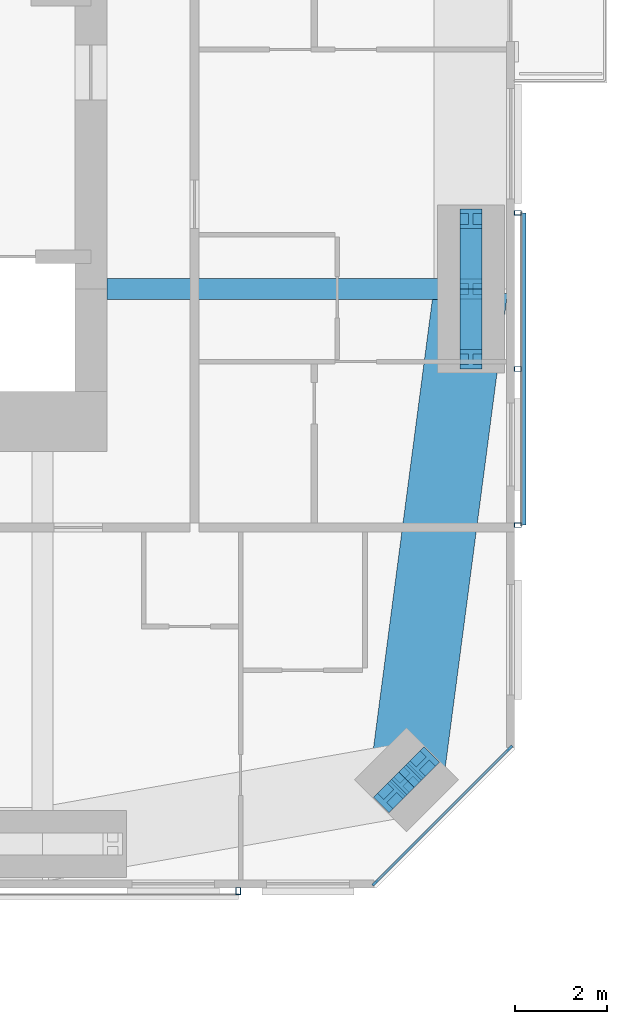
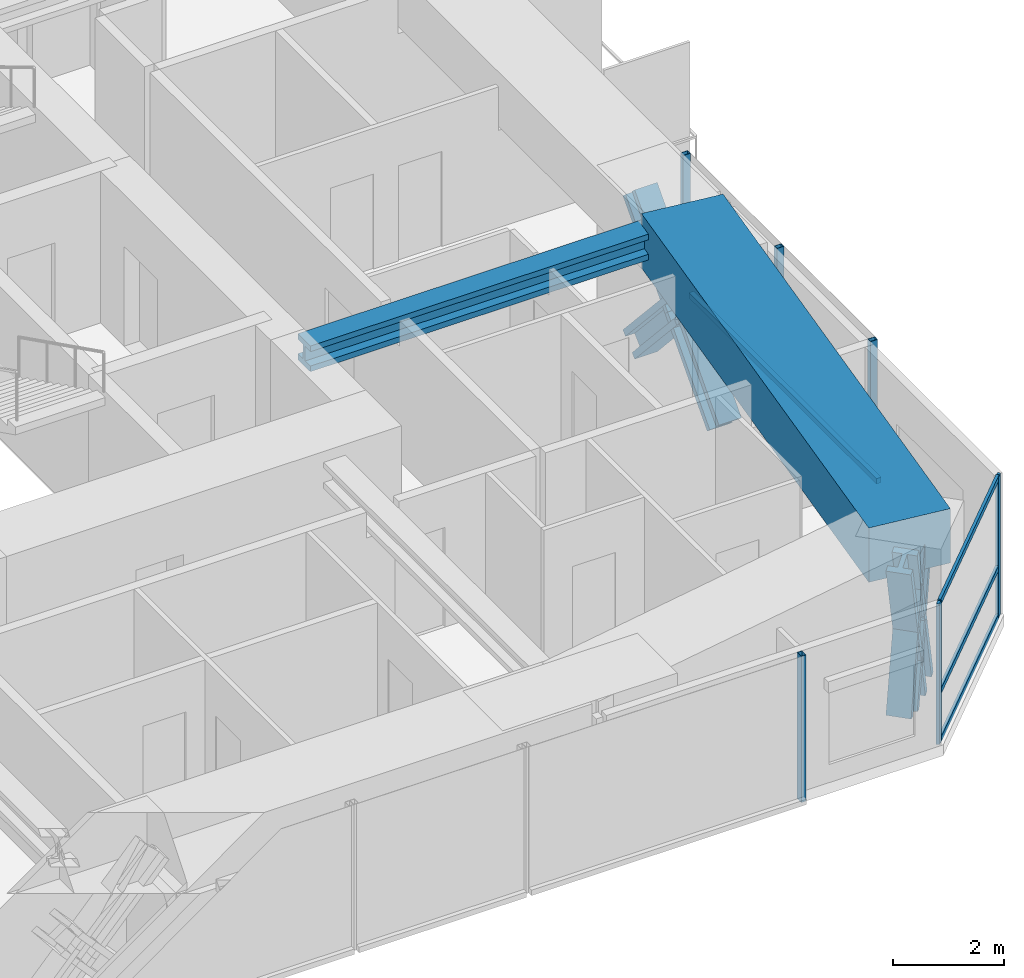
# One storey, part 8 of 23: 18 members, 2 beams, 3 elements without a shape of their own.
"""IFC4 building model written with IfcOpenShell, lengths in metres."""

from ifc_helpers import new_model, si_unit, direction, frame, origin, origin_2d, place, context, subcontext, project, spatial, rectangle, hollow_rectangle, i_section, extrude, material, material_profile, profile_set, type_object, element, aggregate, save


model = new_model("IFC4")

# Units and contexts
model_context = context("Model", 3, precision=1e-05, world=origin(), true_north=direction((0.0, 1.0)))
body_context = subcontext(model_context, "Body", "Model", "MODEL_VIEW")
ifc_project = project(units=[si_unit("LENGTHUNIT", "METRE"), si_unit("AREAUNIT", "SQUARE_METRE"), si_unit("VOLUMEUNIT", "CUBIC_METRE"), si_unit("PLANEANGLEUNIT", "RADIAN"), si_unit("MASSUNIT", "GRAM", prefix="KILO")], contexts=[model_context])

# Site, building, storey
site_placement = place(None, origin())
site = spatial("IfcSite", under=ifc_project, at=site_placement, CompositionType="ELEMENT")
building_placement = place(site_placement, origin())
building = spatial("IfcBuilding", under=site, at=building_placement, Name="Jalousie Tower", CompositionType="ELEMENT")
storey_placement = place(building_placement, frame((0.0, 0.0, 191.199951171875)))
storey = spatial("IfcBuildingStorey", under=building, at=storey_placement, Name="L52", CompositionType="ELEMENT", Elevation=191.199951171875)

# Curtain wall, members
ifc_material_1 = material(Name="Aluminium curtain wall", Category="aluminium")
curtain_wall_type_1 = type_object("IfcCurtainWallType", Name="CORNER WINDOW WALL", PredefinedType="USERDEFINED", material=ifc_material_1)
curtain_wall_1_placement = place(storey_placement, origin())
curtain_wall_1 = element("IfcCurtainWall", 1, at=curtain_wall_1_placement, inside=storey, type_object=curtain_wall_type_1, Name="Corner Window Wall L52 2", ObjectType="CORNER WINDOW WALL", PredefinedType="USERDEFINED")
ifc_material_2 = material(Name="Aluminium mullion", Category="aluminium")
ifc_material_profile_1 = material_profile(ifc_material_2, rectangle(XDim=0.06005859375, YDim=0.14990234375, at=origin_2d()), Name="MULLION 60x150")
ifc_profile_set_1 = profile_set([ifc_material_profile_1], Name="Aluminium mullion")
member_type_1 = type_object("IfcMemberType", Name="CORNER WINDOW WALL MULLION", PredefinedType="MULLION", material=ifc_profile_set_1)
member_1_placement = place(storey_placement, frame((49.969970703125, 0.108642578125, 0.0), z_axis=(0.0, 0.0, 1.0), x_axis=(-0.707106781187, 0.707106781187, 0.0)))
member_1 = element("IfcMember", 2, at=member_1_placement, type_object=member_type_1, Name="CW-C mullion 1", PredefinedType="MULLION", context=body_context, shape_type="SweptSolid", body=[
    extrude(rectangle(XDim=0.06005859375, YDim=0.14990234375, at=origin_2d()), origin(), (0.0, 0.0, 1.0), 3.110107421875),
])
member_2_placement = place(storey_placement, frame((52.891357421875, 3.030029296875, 0.0), z_axis=(0.0, 0.0, 1.0), x_axis=(-0.707106781187, 0.707106781187, 0.0)))
member_2 = element("IfcMember", 3, at=member_2_placement, type_object=member_type_1, Name="CW-C mullion 2", PredefinedType="MULLION", context=body_context, shape_type="SweptSolid", body=[
    extrude(rectangle(XDim=0.06005859375, YDim=0.14990234375, at=origin_2d()), origin(), (0.0, 0.0, 1.0), 3.110107421875),
])
ifc_material_3 = material(Name="Aluminium transom", Category="aluminium")
ifc_material_profile_2 = material_profile(ifc_material_3, rectangle(XDim=0.06005859375, YDim=0.1201171875, at=origin_2d()), Name="TRANSOM 60x120")
ifc_profile_set_2 = profile_set([ifc_material_profile_2], Name="Aluminium transom")
member_type_2 = type_object("IfcMemberType", Name="CORNER WINDOW WALL TRANSOM", PredefinedType="USERDEFINED", material=ifc_profile_set_2)
member_3_placement = place(storey_placement, frame((49.9912109375, 0.1298828125, 0.030029296875), z_axis=(0.707106781187, 0.707106781187, 0.0), x_axis=(-0.707106781187, 0.707106781187, 0.0)))
member_3 = element("IfcMember", 4, at=member_3_placement, type_object=member_type_2, Name="CW-C transom 1.1", ObjectType="TRANSOM", PredefinedType="USERDEFINED", context=body_context, shape_type="SweptSolid", body=[
    extrude(rectangle(XDim=0.06005859375, YDim=0.1201171875, at=origin_2d()), origin(), (0.0, 0.0, 1.0), 4.0712890625),
])
member_4_placement = place(storey_placement, frame((49.9912109375, 0.1298828125, 1.10009765625), z_axis=(0.707106781187, 0.707106781187, 0.0), x_axis=(-0.707106781187, 0.707106781187, 0.0)))
member_4 = element("IfcMember", 5, at=member_4_placement, type_object=member_type_2, Name="CW-C transom 1.2", ObjectType="TRANSOM", PredefinedType="USERDEFINED", context=body_context, shape_type="SweptSolid", body=[
    extrude(rectangle(XDim=0.06005859375, YDim=0.1201171875, at=origin_2d()), origin(), (0.0, 0.0, 1.0), 4.0712890625),
])
member_5_placement = place(storey_placement, frame((49.9912109375, 0.1298828125, 3.080078125), z_axis=(0.707106781187, 0.707106781187, 0.0), x_axis=(-0.707106781187, 0.707106781187, 0.0)))
member_5 = element("IfcMember", 6, at=member_5_placement, type_object=member_type_2, Name="CW-C transom 1.3", ObjectType="TRANSOM", PredefinedType="USERDEFINED", context=body_context, shape_type="SweptSolid", body=[
    extrude(rectangle(XDim=0.06005859375, YDim=0.1201171875, at=origin_2d()), origin(), (0.0, 0.0, 1.0), 4.0712890625),
])
aggregate(curtain_wall_1, [member_1, member_2, member_3, member_4, member_5])

# Beam
ifc_material_4 = material(Name="Steel ASTM A992 Grade 50", Category="steel")
ifc_material_profile_3 = material_profile(ifc_material_4, i_section(OverallWidth=0.45458984375, OverallDepth=0.569091796875, WebThickness=0.077880859375, FlangeThickness=0.124755859375, at=origin_2d()), Name="W14X730")
ifc_profile_set_3 = profile_set([ifc_material_profile_3], Name="Steel ASTM A992 Grade 50")
beam_type_1 = type_object("IfcBeamType", Name="LEAN COLLECTOR W14X730", PredefinedType="BEAM", material=ifc_profile_set_3)
beam_1_placement = place(storey_placement, frame((52.050048828125, 13.0, 2.825439453125), z_axis=(-1.0, 0.0, 0.0), x_axis=(0.0, -1.0, 0.0)))
element("IfcBeam", 7, at=beam_1_placement, inside=storey, type_object=beam_type_1, Name="Lean collector under L53", PredefinedType="BEAM", context=body_context, shape_type="SweptSolid", body=[
    extrude(i_section(OverallWidth=0.45458984375, OverallDepth=0.569091796875, WebThickness=0.077880859375, FlangeThickness=0.124755859375, at=origin_2d()), origin(), (0.0, 0.0, 1.0), 7.900146484375),
])

# Members
ifc_material_5 = material(Name="Steel ASTM A992 Grade 50", Category="steel")
ifc_material_profile_4 = material_profile(ifc_material_5, i_section(OverallWidth=0.472412109375, OverallDepth=0.5791015625, WebThickness=0.094970703125, FlangeThickness=0.1298828125, at=origin_2d()), Name="W14X808")
ifc_profile_set_4 = profile_set([ifc_material_profile_4], Name="Steel ASTM A992 Grade 50")
member_type_3 = type_object("IfcMemberType", Name="PERIMETER BRACE W14X808", PredefinedType="BRACE", material=ifc_profile_set_4)
member_6_placement = place(storey_placement, frame((50.2978515625, 1.9951171875, -0.599853515625), z_axis=(0.202399156177, 0.202119792263, 0.958218227313), x_axis=(-0.706618279267, 0.707594945859, 0.0)))
element("IfcMember", 8, at=member_6_placement, inside=storey, type_object=member_type_3, Name="Perimeter brace 05 L52 part 1", PredefinedType="BRACE", context=body_context, shape_type="SweptSolid", body=[
    extrude(i_section(OverallWidth=0.472412109375, OverallDepth=0.5791015625, WebThickness=0.094970703125, FlangeThickness=0.1298828125, at=origin_2d()), origin(), (0.0, 0.0, 1.0), 1.747802734375),
])
member_7_placement = place(storey_placement, frame((50.651611328125, 2.348388671875, 1.074951171875), z_axis=(0.202092742837, 0.202372069365, 0.958229653493), x_axis=(-0.707594945859, 0.706618279267, 0.0)))
element("IfcMember", 9, at=member_7_placement, inside=storey, type_object=member_type_3, Name="Perimeter brace 05 L52 part 2", PredefinedType="BRACE", context=body_context, shape_type="SweptSolid", body=[
    extrude(i_section(OverallWidth=0.472412109375, OverallDepth=0.5791015625, WebThickness=0.094970703125, FlangeThickness=0.1298828125, at=origin_2d()), origin(), (0.0, 0.0, 1.0), 1.748046875),
])
member_8_placement = place(storey_placement, frame((51.0048828125, 2.7021484375, -0.599853515625), z_axis=(-0.202119792263, -0.202399156177, 0.958218227313), x_axis=(0.707594945859, -0.706618279267, 0.0)))
element("IfcMember", 10, at=member_8_placement, inside=storey, type_object=member_type_3, Name="Perimeter brace 05 L52 part 3", PredefinedType="BRACE", context=body_context, shape_type="SweptSolid", body=[
    extrude(i_section(OverallWidth=0.472412109375, OverallDepth=0.5791015625, WebThickness=0.094970703125, FlangeThickness=0.1298828125, at=origin_2d()), origin(), (0.0, 0.0, 1.0), 1.747802734375),
])
member_9_placement = place(storey_placement, frame((50.651611328125, 2.348388671875, 1.074951171875), z_axis=(-0.202372069365, -0.202092742837, 0.958229653493), x_axis=(0.706618279267, -0.707594945859, 0.0)))
element("IfcMember", 11, at=member_9_placement, inside=storey, type_object=member_type_3, Name="Perimeter brace 05 L52 part 4", PredefinedType="BRACE", context=body_context, shape_type="SweptSolid", body=[
    extrude(i_section(OverallWidth=0.472412109375, OverallDepth=0.5791015625, WebThickness=0.094970703125, FlangeThickness=0.1298828125, at=origin_2d()), origin(), (0.0, 0.0, 1.0), 1.748046875),
])
for number, where, z_axis, x_axis, name in (
    (12, (52.050048828125, 11.47509765625, -0.599853515625), (0.0, 0.673241284601, 0.739422864611), (-1.0, 0.0, 0.0), "Perimeter brace 06 L52 part 1"),
    (13, (52.050048828125, 13.0, 1.074951171875), (0.0, 0.673187629365, 0.739471713908), (-1.0, 0.0, 0.0), "Perimeter brace 06 L52 part 2"),
    (14, (52.050048828125, 14.52490234375, -0.599853515625), (0.0, -0.673241284601, 0.739422864611), (1.0, 0.0, 0.0), "Perimeter brace 06 L52 part 3"),
    (15, (52.050048828125, 13.0, 1.074951171875), (0.0, -0.673187629365, 0.739471713908), (1.0, 0.0, 0.0), "Perimeter brace 06 L52 part 4"),
):
    element("IfcMember", number, at=place(storey_placement, frame(where, z_axis=z_axis, x_axis=x_axis)), inside=storey, type_object=member_type_3, Name=name, PredefinedType="BRACE", context=body_context, shape_type="SweptSolid", body=[
        extrude(i_section(OverallWidth=0.472412109375, OverallDepth=0.5791015625, WebThickness=0.094970703125, FlangeThickness=0.1298828125, at=origin_2d()), origin(), (0.0, 0.0, 1.0), 2.26513671875),
    ])

# Beam
ifc_material_6 = material(Name="Concrete f'c 40 MPa", Category="concrete")
ifc_material_profile_5 = material_profile(ifc_material_6, rectangle(XDim=1.60009765625, YDim=1.199951171875, at=origin_2d()), Name="RC 1600x1200")
ifc_profile_set_5 = profile_set([ifc_material_profile_5], Name="Concrete f'c 40 MPa")
beam_type_2 = type_object("IfcBeamType", Name="RC BEAM 1600x1200", PredefinedType="BEAM", material=ifc_profile_set_5)
beam_2_placement = place(storey_placement, frame((50.651611328125, 2.348388671875, 2.75), z_axis=(0.130171745558, 0.991491460709, 0.0), x_axis=(-0.991491460709, 0.130171745558, 0.0)))
element("IfcBeam", 16, at=beam_2_placement, inside=storey, type_object=beam_type_2, Name="Edge band beam 05-06 under L53", PredefinedType="BEAM", context=body_context, shape_type="SweptSolid", body=[
    extrude(rectangle(XDim=1.60009765625, YDim=1.199951171875, at=origin_2d()), origin(), (0.0, 0.0, 1.0), 10.742919921875),
])

# Curtain wall, member
ifc_material_7 = material(Name="Perforated aluminium sheet", Category="aluminium")
curtain_wall_type_2 = type_object("IfcCurtainWallType", Name="SOLAR SCREEN SS-1", PredefinedType="USERDEFINED", material=ifc_material_7)
curtain_wall_2_placement = place(storey_placement, origin())
curtain_wall_2 = element("IfcCurtainWall", 17, at=curtain_wall_2_placement, inside=storey, type_object=curtain_wall_type_2, Name="Solar screen L52", ObjectType="SOLAR SCREEN SS-1", PredefinedType="USERDEFINED")
ifc_material_8 = material(Name="Steel ASTM A500 Grade C", Category="steel")
ifc_material_profile_6 = material_profile(ifc_material_8, hollow_rectangle(XDim=0.1015625, YDim=0.15234375, WallThickness=0.00634765625, at=origin_2d()), Name="HSS6X4X1/4")
ifc_profile_set_6 = profile_set([ifc_material_profile_6], Name="Steel ASTM A500 Grade C")
member_type_4 = type_object("IfcMemberType", Name="SOLAR SCREEN SS-1 MULLION", PredefinedType="MULLION", material=ifc_profile_set_6)
member_10_placement = place(storey_placement, frame((47.0, -0.0712890625, -0.119873046875), z_axis=(0.0, 0.0, 1.0), x_axis=(1.0, 0.0, 0.0)))
member_10 = element("IfcMember", 18, at=member_10_placement, type_object=member_type_4, Name="SS1 post 2", PredefinedType="MULLION", context=body_context, shape_type="SweptSolid", body=[
    extrude(hollow_rectangle(XDim=0.1015625, YDim=0.15234375, WallThickness=0.00634765625, at=origin_2d()), origin(), (0.0, 0.0, 1.0), 3.22998046875),
])
aggregate(curtain_wall_2, [member_10])

# Curtain wall, members
curtain_wall_3_placement = place(storey_placement, origin())
curtain_wall_3 = element("IfcCurtainWall", 19, at=curtain_wall_3_placement, inside=storey, type_object=curtain_wall_type_2, Name="Solar screen L52", ObjectType="SOLAR SCREEN SS-1", PredefinedType="USERDEFINED")
member_11_placement = place(storey_placement, frame((53.0712890625, 7.875, -0.119873046875), z_axis=(0.0, 0.0, 1.0), x_axis=(0.0, 1.0, 0.0)))
member_11 = element("IfcMember", 20, at=member_11_placement, type_object=member_type_4, Name="SS1 post 1", PredefinedType="MULLION", context=body_context, shape_type="SweptSolid", body=[
    extrude(hollow_rectangle(XDim=0.1015625, YDim=0.15234375, WallThickness=0.00634765625, at=origin_2d()), origin(), (0.0, 0.0, 1.0), 3.22998046875),
])
member_12_placement = place(storey_placement, frame((53.0712890625, 11.26416015625, -0.119873046875), z_axis=(0.0, 0.0, 1.0), x_axis=(0.0, 1.0, 0.0)))
member_12 = element("IfcMember", 21, at=member_12_placement, type_object=member_type_4, Name="SS1 post 2", PredefinedType="MULLION", context=body_context, shape_type="SweptSolid", body=[
    extrude(hollow_rectangle(XDim=0.1015625, YDim=0.15234375, WallThickness=0.00634765625, at=origin_2d()), origin(), (0.0, 0.0, 1.0), 3.22998046875),
])
member_13_placement = place(storey_placement, frame((53.0712890625, 14.6533203125, -0.119873046875), z_axis=(0.0, 0.0, 1.0), x_axis=(0.0, 1.0, 0.0)))
member_13 = element("IfcMember", 22, at=member_13_placement, type_object=member_type_4, Name="SS1 post 3", PredefinedType="MULLION", context=body_context, shape_type="SweptSolid", body=[
    extrude(hollow_rectangle(XDim=0.1015625, YDim=0.15234375, WallThickness=0.00634765625, at=origin_2d()), origin(), (0.0, 0.0, 1.0), 3.22998046875),
])
ifc_material_9 = material(Name="Extruded aluminium screen rail", Category="aluminium")
ifc_material_profile_7 = material_profile(ifc_material_9, rectangle(XDim=0.1015625, YDim=0.1201171875, at=origin_2d()), Name="RAIL 102x120")
ifc_profile_set_7 = profile_set([ifc_material_profile_7], Name="Extruded aluminium screen rail")
member_type_5 = type_object("IfcMemberType", Name="SOLAR SCREEN SS-1 TRANSOM", PredefinedType="USERDEFINED", material=ifc_profile_set_7)
member_14_placement = place(storey_placement, frame((53.1982421875, 7.875, -0.06005859375), z_axis=(0.0, 1.0, 0.0), x_axis=(-1.0, 0.0, 0.0)))
member_14 = element("IfcMember", 23, at=member_14_placement, type_object=member_type_5, Name="SS1 rail", ObjectType="TRANSOM", PredefinedType="USERDEFINED", context=body_context, shape_type="SweptSolid", body=[
    extrude(rectangle(XDim=0.1015625, YDim=0.1201171875, at=origin_2d()), origin(), (0.0, 0.0, 1.0), 6.7783203125),
])
aggregate(curtain_wall_3, [member_11, member_12, member_13, member_14])

save(model, "model.ifc")
